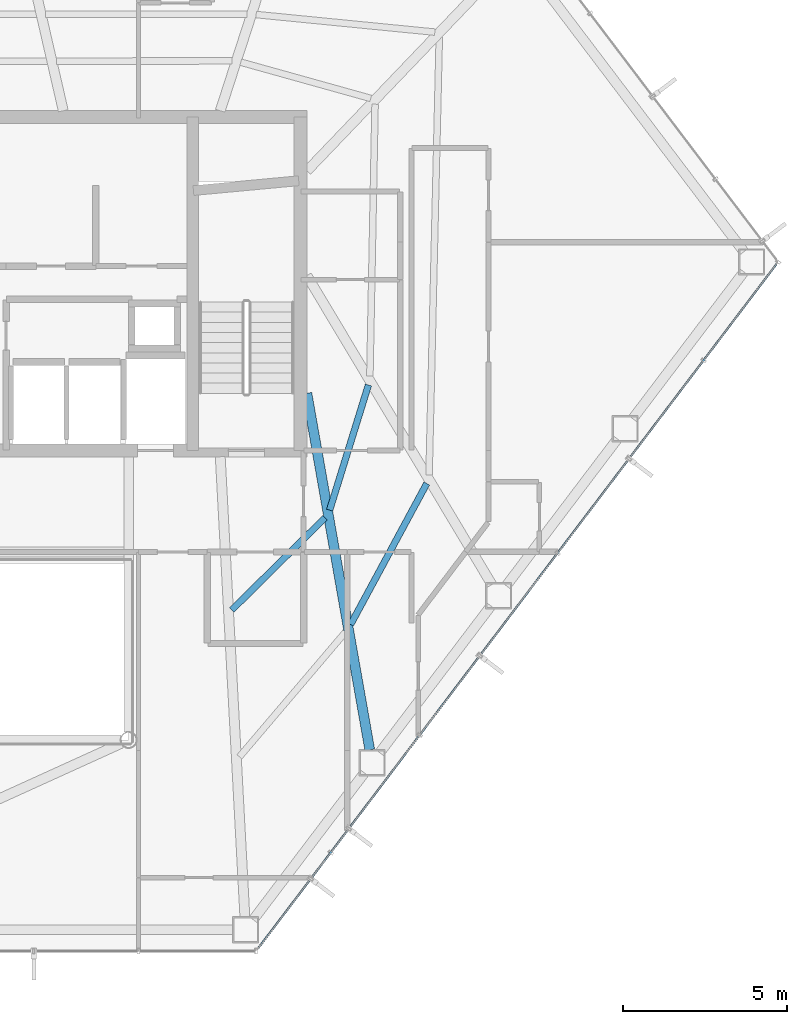
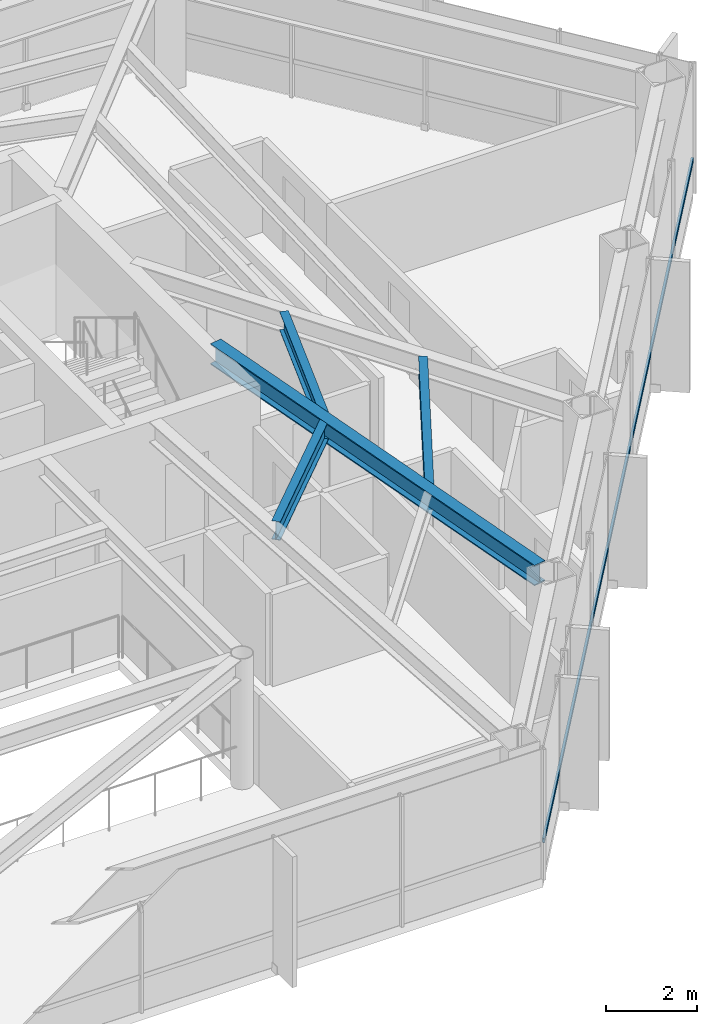
# One storey, part 18 of 29: 4 beams, 1 member, 1 element without a shape of its own.
"""IFC4 building model written with IfcOpenShell, lengths in metres."""

from ifc_helpers import new_model, si_unit, direction, frame, origin, origin_2d, place, context, subcontext, project, spatial, hollow_rectangle, i_section, extrude, material, layer, layer_set, material_profile, profile_set, type_object, element, aggregate, save


model = new_model("IFC4")

# Units and contexts
model_context = context("Model", 3, precision=1e-05, world=origin(), true_north=direction((0.0, 1.0)))
body_context = subcontext(model_context, "Body", "Model", "MODEL_VIEW")
ifc_project = project(units=[si_unit("LENGTHUNIT", "METRE"), si_unit("AREAUNIT", "SQUARE_METRE"), si_unit("VOLUMEUNIT", "CUBIC_METRE"), si_unit("PLANEANGLEUNIT", "RADIAN"), si_unit("MASSUNIT", "GRAM", prefix="KILO")], contexts=[model_context])

# Site, building, storey
site_placement = place(None, origin())
site = spatial("IfcSite", under=ifc_project, at=site_placement, CompositionType="ELEMENT")
building_placement = place(site_placement, origin())
building = spatial("IfcBuilding", under=site, at=building_placement, Name="Zarrinselat Tower", CompositionType="ELEMENT")
storey_placement = place(building_placement, frame((0.0, 0.0, 138.3798828125)))
storey = spatial("IfcBuildingStorey", under=building, at=storey_placement, Name="L33", CompositionType="ELEMENT", Elevation=138.3798828125)

# Beams
ifc_material_1 = material(Name="Steel S355J2", Category="steel")
ifc_material_profile_1 = material_profile(ifc_material_1, i_section(OverallWidth=0.300048828125, OverallDepth=0.550048828125, WebThickness=0.014892578125, FlangeThickness=0.029052734375, at=origin_2d()), Name="HEB 550")
ifc_profile_set_1 = profile_set([ifc_material_profile_1], Name="Steel S355J2")
beam_type_1 = type_object("IfcBeamType", Name="BM-HEB550", PredefinedType="BEAM", material=ifc_profile_set_1)
beam_1_placement = place(storey_placement, frame((48.449951171875, 35.0, 3.22509765625), z_axis=(0.173650716, -0.984807305432, 0.0), x_axis=(0.984807305432, 0.173650716, 0.0)))
element("IfcBeam", 1, at=beam_1_placement, inside=storey, type_object=beam_type_1, Name="L33 Radial Primary Girder RG12", PredefinedType="BEAM", context=body_context, shape_type="SweptSolid", body=[
    extrude(i_section(OverallWidth=0.300048828125, OverallDepth=0.550048828125, WebThickness=0.014892578125, FlangeThickness=0.029052734375, at=origin_2d()), origin(), (0.0, 0.0, 1.0), 11.0703125),
])
ifc_material_2 = material(Name="Steel S355J2", Category="steel")
ifc_material_profile_2 = material_profile(ifc_material_2, i_section(OverallWidth=0.199951171875, OverallDepth=0.5, WebThickness=0.01025390625, FlangeThickness=0.01611328125, at=origin_2d()), Name="IPE 500")
ifc_profile_set_2 = profile_set([ifc_material_profile_2], Name="Steel S355J2")
beam_type_2 = type_object("IfcBeamType", Name="BM-IPE500", PredefinedType="JOIST", material=ifc_profile_set_2)
beam_2_placement = place(storey_placement, frame((46.155517578125, 28.377197265625, 3.25), z_axis=(0.710935301088, 0.703257419205, 0.0), x_axis=(-0.703257419205, 0.710935301088, 0.0)))
element("IfcBeam", 2, at=beam_2_placement, inside=storey, type_object=beam_type_2, Name="L33 Composite Floor Joist 3-2", PredefinedType="JOIST", context=body_context, shape_type="SweptSolid", body=[
    extrude(i_section(OverallWidth=0.199951171875, OverallDepth=0.5, WebThickness=0.01025390625, FlangeThickness=0.01611328125, at=origin_2d()), origin(), (0.0, 0.0, 1.0), 4.006591796875),
])
beam_3_placement = place(storey_placement, frame((49.78515625, 27.927734375, 3.25), z_axis=(0.475195177773, 0.879880414046, 0.0), x_axis=(-0.879880414046, 0.475195177773, 0.0)))
element("IfcBeam", 3, at=beam_3_placement, inside=storey, type_object=beam_type_2, Name="L33 Composite Floor Joist 4-1", PredefinedType="JOIST", context=body_context, shape_type="SweptSolid", body=[
    extrude(i_section(OverallWidth=0.199951171875, OverallDepth=0.5, WebThickness=0.01025390625, FlangeThickness=0.01611328125, at=origin_2d()), origin(), (0.0, 0.0, 1.0), 4.90283203125),
])
beam_4_placement = place(storey_placement, frame((49.14501953125, 31.427001953125, 3.25), z_axis=(0.295956453214, 0.955201433103, 0.0), x_axis=(-0.955201433103, 0.295956453214, 0.0)))
element("IfcBeam", 4, at=beam_4_placement, inside=storey, type_object=beam_type_2, Name="L33 Composite Floor Joist 4-2", PredefinedType="JOIST", context=body_context, shape_type="SweptSolid", body=[
    extrude(i_section(OverallWidth=0.199951171875, OverallDepth=0.5, WebThickness=0.01025390625, FlangeThickness=0.01611328125, at=origin_2d()), origin(), (0.0, 0.0, 1.0), 4.006591796875),
])

# Curtain wall, member
ifc_material_3 = material(Name="Extruded Aluminium Alloy EN AW-6063 T6", Category="aluminium")
ifc_layer = layer(ifc_material_3, 0.175048828125)
ifc_layer_set = layer_set([ifc_layer], Name="Extruded Aluminium Alloy EN AW-6063 T6")
curtain_wall_type = type_object("IfcCurtainWallType", Name="CWS-HTL", PredefinedType="NOTDEFINED", material=ifc_layer_set)
curtain_wall_placement = place(storey_placement, origin())
curtain_wall = element("IfcCurtainWall", 5, at=curtain_wall_placement, inside=storey, type_object=curtain_wall_type, Name="L33 Unitised Curtain Wall CW-L33-E05", PredefinedType="NOTDEFINED")
ifc_material_4 = material(Name="Extruded Aluminium Alloy EN AW-6063 T6", Category="aluminium")
ifc_material_profile_3 = material_profile(ifc_material_4, hollow_rectangle(XDim=0.06005859375, YDim=0.1201171875, WallThickness=0.00390625, at=origin_2d()), Name="RHS 120x60x4")
ifc_profile_set_3 = profile_set([ifc_material_profile_3], Name="Extruded Aluminium Alloy EN AW-6063 T6")
member_type = type_object("IfcMemberType", Name="MEM-CW-TRN2", PredefinedType="USERDEFINED", material=ifc_profile_set_3)
member_placement = place(storey_placement, frame((46.951171875, 18.017578125, 0.9501953125), z_axis=(0.603856255958, 0.797093233029, 0.0), x_axis=(-0.797093233029, 0.603856255958, 0.0)))
member = element("IfcMember", 6, at=member_placement, type_object=member_type, Name="CW-L33-E05 Transom 1", ObjectType="TRANSOM", PredefinedType="USERDEFINED", context=body_context, shape_type="SweptSolid", body=[
    extrude(hollow_rectangle(XDim=0.06005859375, YDim=0.1201171875, WallThickness=0.00390625, at=origin_2d()), origin(), (0.0, 0.0, 1.0), 26.259033203125),
])
aggregate(curtain_wall, [member])

save(model, "model.ifc")
